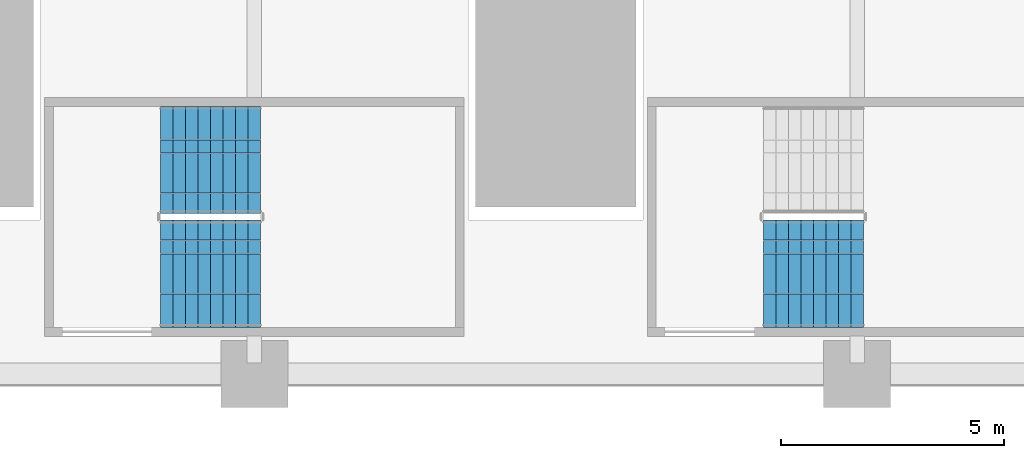
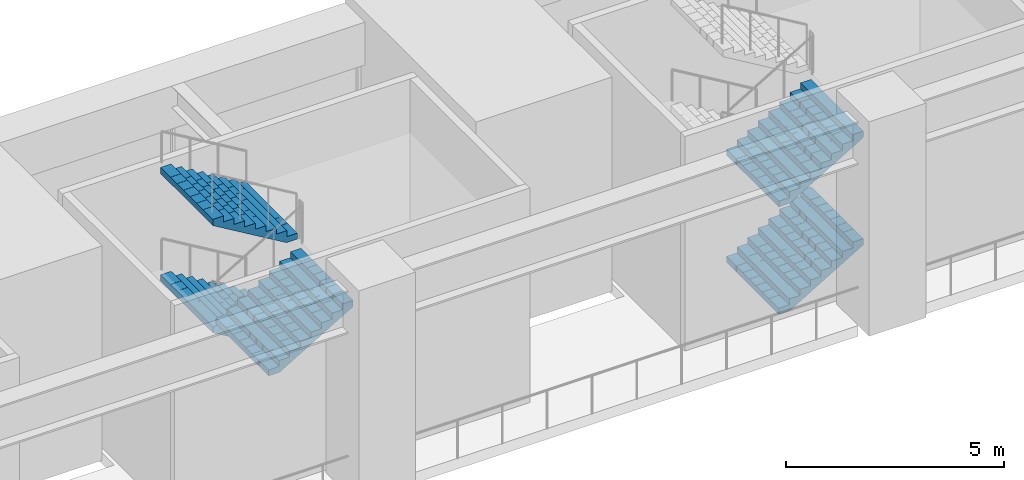
# One storey, part 32 of 43: 5 stair flights, 2 elements without a shape of their own.
"""IFC4 building model written with IfcOpenShell, lengths in metres."""

from ifc_helpers import new_model, si_unit, direction, frame, origin, place, context, subcontext, project, spatial, polyline, outline, extrude, material, type_object, element, aggregate, save


model = new_model("IFC4")

# Units and contexts
model_context = context("Model", 3, precision=1e-05, world=origin(), true_north=direction((0.0, 1.0)))
body_context = subcontext(model_context, "Body", "Model", "MODEL_VIEW")
ifc_project = project(units=[si_unit("LENGTHUNIT", "METRE"), si_unit("AREAUNIT", "SQUARE_METRE"), si_unit("VOLUMEUNIT", "CUBIC_METRE"), si_unit("PLANEANGLEUNIT", "RADIAN"), si_unit("MASSUNIT", "GRAM", prefix="KILO")], contexts=[model_context])

# Site, building, storey
site_placement = place(None, origin())
site = spatial("IfcSite", under=ifc_project, at=site_placement, CompositionType="ELEMENT")
building_placement = place(site_placement, origin())
building = spatial("IfcBuilding", under=site, at=building_placement, Name="Corbelhall Arena Tower", CompositionType="ELEMENT")
storey_placement = place(building_placement, frame((0.0, 0.0, 25.0)))
storey = spatial("IfcBuildingStorey", under=building, at=storey_placement, Name="L03", CompositionType="ELEMENT", Elevation=25.0)

# Stair, stair flights
ifc_material = material(Name="Reinforced concrete C40/50", Category="concrete")
stair_type = type_object("IfcStairType", Name="AR-EXIT-STAIR", PredefinedType="HALF_TURN_STAIR", material=ifc_material)
stair_1_placement = place(storey_placement, origin())
stair_1 = element("IfcStair", 1, at=stair_1_placement, inside=storey, type_object=stair_type, Name="L03 exit stair AS10", PredefinedType="HALF_TURN_STAIR")
stair_flight_type = type_object("IfcStairFlightType", Name="AR-EXIT-FLIGHT", PredefinedType="STRAIGHT", material=ifc_material)
stair_flight_1_placement = place(storey_placement, frame((-6.610107421875, 34.050048828125, 1.5), z_axis=(0.0, 0.0, 1.0), x_axis=(-1.0, 0.0, 0.0)))
stair_flight_1 = element("IfcStairFlight", 2, at=stair_flight_1_placement, type_object=stair_flight_type, Name="AS10 flight 2", NumberOfRisers=9, NumberOfTreads=8, PredefinedType="STRAIGHT", RiserHeight=0.166666667, TreadLength=0.28, context=body_context, shape_type="SweptSolid", body=[
    extrude(outline(polyline([(0.0, 0.0), (0.0, 0.166748046875), (0.280029296875, 0.166748046875), (0.280029296875, 0.333251953125), (0.56005859375, 0.333251953125), (0.56005859375, 0.5), (0.840087890625, 0.5), (0.840087890625, 0.666748046875), (1.1201171875, 0.666748046875), (1.1201171875, 0.833251953125), (1.39990234375, 0.833251953125), (1.39990234375, 1.0), (1.679931640625, 1.0), (1.679931640625, 1.166748046875), (1.9599609375, 1.166748046875), (1.9599609375, 1.333251953125), (2.239990234375, 1.333251953125), (2.239990234375, 1.5), (2.239990234375, 1.158935546875), (0.29296875, 0.0), (0.0, 0.0)])), frame((0.0, 1.199951171875, 0.0), z_axis=(0.0, -1.0, 0.0), x_axis=(1.0, 0.0, 0.0)), (0.0, 0.0, 1.0), 0.449951171875),
    extrude(outline(polyline([(0.0, 0.0), (0.0, 0.166748046875), (0.280029296875, 0.166748046875), (0.280029296875, 0.333251953125), (0.56005859375, 0.333251953125), (0.56005859375, 0.5), (0.840087890625, 0.5), (0.840087890625, 0.666748046875), (1.1201171875, 0.666748046875), (1.1201171875, 0.833251953125), (1.39990234375, 0.833251953125), (1.39990234375, 1.0), (1.679931640625, 1.0), (1.679931640625, 1.166748046875), (1.9599609375, 1.166748046875), (1.9599609375, 1.333251953125), (2.239990234375, 1.333251953125), (2.239990234375, 1.5), (2.239990234375, 1.158935546875), (0.29296875, 0.0), (0.0, 0.0)])), frame((0.0, 0.745849609375, 0.0), z_axis=(0.0, -1.0, 0.0), x_axis=(1.0, 0.0, 0.0)), (0.0, 0.0, 1.0), 0.295166015625),
    extrude(outline(polyline([(0.0, 0.0), (0.0, 0.166748046875), (0.280029296875, 0.166748046875), (0.280029296875, 0.333251953125), (0.56005859375, 0.333251953125), (0.56005859375, 0.5), (0.840087890625, 0.5), (0.840087890625, 0.666748046875), (1.1201171875, 0.666748046875), (1.1201171875, 0.833251953125), (1.39990234375, 0.833251953125), (1.39990234375, 1.0), (1.679931640625, 1.0), (1.679931640625, 1.166748046875), (1.9599609375, 1.166748046875), (1.9599609375, 1.333251953125), (2.239990234375, 1.333251953125), (2.239990234375, 1.5), (2.239990234375, 1.158935546875), (0.29296875, 0.0), (0.0, 0.0)])), frame((0.0, 0.44677734375, 0.0), z_axis=(0.0, -1.0, 0.0), x_axis=(1.0, 0.0, 0.0)), (0.0, 0.0, 1.0), 0.295166015625),
    extrude(outline(polyline([(0.0, 0.0), (0.0, 0.166748046875), (0.280029296875, 0.166748046875), (0.280029296875, 0.333251953125), (0.56005859375, 0.333251953125), (0.56005859375, 0.5), (0.840087890625, 0.5), (0.840087890625, 0.666748046875), (1.1201171875, 0.666748046875), (1.1201171875, 0.833251953125), (1.39990234375, 0.833251953125), (1.39990234375, 1.0), (1.679931640625, 1.0), (1.679931640625, 1.166748046875), (1.9599609375, 1.166748046875), (1.9599609375, 1.333251953125), (2.239990234375, 1.333251953125), (2.239990234375, 1.5), (2.239990234375, 1.158935546875), (0.29296875, 0.0), (0.0, 0.0)])), frame((0.0, 0.147705078125, 0.0), z_axis=(0.0, -1.0, 0.0), x_axis=(1.0, 0.0, 0.0)), (0.0, 0.0, 1.0), 0.295166015625),
    extrude(outline(polyline([(0.0, 0.0), (0.0, 0.166748046875), (0.280029296875, 0.166748046875), (0.280029296875, 0.333251953125), (0.56005859375, 0.333251953125), (0.56005859375, 0.5), (0.840087890625, 0.5), (0.840087890625, 0.666748046875), (1.1201171875, 0.666748046875), (1.1201171875, 0.833251953125), (1.39990234375, 0.833251953125), (1.39990234375, 1.0), (1.679931640625, 1.0), (1.679931640625, 1.166748046875), (1.9599609375, 1.166748046875), (1.9599609375, 1.333251953125), (2.239990234375, 1.333251953125), (2.239990234375, 1.5), (2.239990234375, 1.158935546875), (0.29296875, 0.0), (0.0, 0.0)])), frame((0.0, -0.151611328125, 0.0), z_axis=(0.0, -1.0, 0.0), x_axis=(1.0, 0.0, 0.0)), (0.0, 0.0, 1.0), 0.295166015625),
    extrude(outline(polyline([(0.0, 0.0), (0.0, 0.166748046875), (0.280029296875, 0.166748046875), (0.280029296875, 0.333251953125), (0.56005859375, 0.333251953125), (0.56005859375, 0.5), (0.840087890625, 0.5), (0.840087890625, 0.666748046875), (1.1201171875, 0.666748046875), (1.1201171875, 0.833251953125), (1.39990234375, 0.833251953125), (1.39990234375, 1.0), (1.679931640625, 1.0), (1.679931640625, 1.166748046875), (1.9599609375, 1.166748046875), (1.9599609375, 1.333251953125), (2.239990234375, 1.333251953125), (2.239990234375, 1.5), (2.239990234375, 1.158935546875), (0.29296875, 0.0), (0.0, 0.0)])), frame((0.0, -0.45068359375, 0.0), z_axis=(0.0, -1.0, 0.0), x_axis=(1.0, 0.0, 0.0)), (0.0, 0.0, 1.0), 0.295166015625),
    extrude(outline(polyline([(0.0, 0.0), (0.0, 0.166748046875), (0.280029296875, 0.166748046875), (0.280029296875, 0.333251953125), (0.56005859375, 0.333251953125), (0.56005859375, 0.5), (0.840087890625, 0.5), (0.840087890625, 0.666748046875), (1.1201171875, 0.666748046875), (1.1201171875, 0.833251953125), (1.39990234375, 0.833251953125), (1.39990234375, 1.0), (1.679931640625, 1.0), (1.679931640625, 1.166748046875), (1.9599609375, 1.166748046875), (1.9599609375, 1.333251953125), (2.239990234375, 1.333251953125), (2.239990234375, 1.5), (2.239990234375, 1.158935546875), (0.29296875, 0.0), (0.0, 0.0)])), frame((0.0, -0.75, 0.0), z_axis=(0.0, -1.0, 0.0), x_axis=(1.0, 0.0, 0.0)), (0.0, 0.0, 1.0), 0.449951171875),
])
stair_flight_2_placement = place(storey_placement, frame((-8.85009765625, 31.5, 3.0), z_axis=(0.0, 0.0, 1.0), x_axis=(1.0, 0.0, 0.0)))
stair_flight_2 = element("IfcStairFlight", 3, at=stair_flight_2_placement, type_object=stair_flight_type, Name="AS10 flight 3", NumberOfRisers=9, NumberOfTreads=8, PredefinedType="STRAIGHT", RiserHeight=0.166666667, TreadLength=0.28, context=body_context, shape_type="SweptSolid", body=[
    extrude(outline(polyline([(0.0, 0.0), (0.0, 0.166748046875), (0.280029296875, 0.166748046875), (0.280029296875, 0.333251953125), (0.56005859375, 0.333251953125), (0.56005859375, 0.5), (0.840087890625, 0.5), (0.840087890625, 0.666748046875), (1.1201171875, 0.666748046875), (1.1201171875, 0.833251953125), (1.39990234375, 0.833251953125), (1.39990234375, 1.0), (1.679931640625, 1.0), (1.679931640625, 1.166748046875), (1.9599609375, 1.166748046875), (1.9599609375, 1.333251953125), (2.239990234375, 1.333251953125), (2.239990234375, 1.5), (2.239990234375, 1.158935546875), (0.29296875, 0.0), (0.0, 0.0)])), frame((0.0, 1.199951171875, 0.0), z_axis=(0.0, -1.0, 0.0), x_axis=(1.0, 0.0, 0.0)), (0.0, 0.0, 1.0), 0.449951171875),
    extrude(outline(polyline([(0.0, 0.0), (0.0, 0.166748046875), (0.280029296875, 0.166748046875), (0.280029296875, 0.333251953125), (0.56005859375, 0.333251953125), (0.56005859375, 0.5), (0.840087890625, 0.5), (0.840087890625, 0.666748046875), (1.1201171875, 0.666748046875), (1.1201171875, 0.833251953125), (1.39990234375, 0.833251953125), (1.39990234375, 1.0), (1.679931640625, 1.0), (1.679931640625, 1.166748046875), (1.9599609375, 1.166748046875), (1.9599609375, 1.333251953125), (2.239990234375, 1.333251953125), (2.239990234375, 1.5), (2.239990234375, 1.158935546875), (0.29296875, 0.0), (0.0, 0.0)])), frame((0.0, 0.745849609375, 0.0), z_axis=(0.0, -1.0, 0.0), x_axis=(1.0, 0.0, 0.0)), (0.0, 0.0, 1.0), 0.295166015625),
    extrude(outline(polyline([(0.0, 0.0), (0.0, 0.166748046875), (0.280029296875, 0.166748046875), (0.280029296875, 0.333251953125), (0.56005859375, 0.333251953125), (0.56005859375, 0.5), (0.840087890625, 0.5), (0.840087890625, 0.666748046875), (1.1201171875, 0.666748046875), (1.1201171875, 0.833251953125), (1.39990234375, 0.833251953125), (1.39990234375, 1.0), (1.679931640625, 1.0), (1.679931640625, 1.166748046875), (1.9599609375, 1.166748046875), (1.9599609375, 1.333251953125), (2.239990234375, 1.333251953125), (2.239990234375, 1.5), (2.239990234375, 1.158935546875), (0.29296875, 0.0), (0.0, 0.0)])), frame((0.0, 0.44677734375, 0.0), z_axis=(0.0, -1.0, 0.0), x_axis=(1.0, 0.0, 0.0)), (0.0, 0.0, 1.0), 0.295166015625),
    extrude(outline(polyline([(0.0, 0.0), (0.0, 0.166748046875), (0.280029296875, 0.166748046875), (0.280029296875, 0.333251953125), (0.56005859375, 0.333251953125), (0.56005859375, 0.5), (0.840087890625, 0.5), (0.840087890625, 0.666748046875), (1.1201171875, 0.666748046875), (1.1201171875, 0.833251953125), (1.39990234375, 0.833251953125), (1.39990234375, 1.0), (1.679931640625, 1.0), (1.679931640625, 1.166748046875), (1.9599609375, 1.166748046875), (1.9599609375, 1.333251953125), (2.239990234375, 1.333251953125), (2.239990234375, 1.5), (2.239990234375, 1.158935546875), (0.29296875, 0.0), (0.0, 0.0)])), frame((0.0, 0.147705078125, 0.0), z_axis=(0.0, -1.0, 0.0), x_axis=(1.0, 0.0, 0.0)), (0.0, 0.0, 1.0), 0.295166015625),
    extrude(outline(polyline([(0.0, 0.0), (0.0, 0.166748046875), (0.280029296875, 0.166748046875), (0.280029296875, 0.333251953125), (0.56005859375, 0.333251953125), (0.56005859375, 0.5), (0.840087890625, 0.5), (0.840087890625, 0.666748046875), (1.1201171875, 0.666748046875), (1.1201171875, 0.833251953125), (1.39990234375, 0.833251953125), (1.39990234375, 1.0), (1.679931640625, 1.0), (1.679931640625, 1.166748046875), (1.9599609375, 1.166748046875), (1.9599609375, 1.333251953125), (2.239990234375, 1.333251953125), (2.239990234375, 1.5), (2.239990234375, 1.158935546875), (0.29296875, 0.0), (0.0, 0.0)])), frame((0.0, -0.151611328125, 0.0), z_axis=(0.0, -1.0, 0.0), x_axis=(1.0, 0.0, 0.0)), (0.0, 0.0, 1.0), 0.295166015625),
    extrude(outline(polyline([(0.0, 0.0), (0.0, 0.166748046875), (0.280029296875, 0.166748046875), (0.280029296875, 0.333251953125), (0.56005859375, 0.333251953125), (0.56005859375, 0.5), (0.840087890625, 0.5), (0.840087890625, 0.666748046875), (1.1201171875, 0.666748046875), (1.1201171875, 0.833251953125), (1.39990234375, 0.833251953125), (1.39990234375, 1.0), (1.679931640625, 1.0), (1.679931640625, 1.166748046875), (1.9599609375, 1.166748046875), (1.9599609375, 1.333251953125), (2.239990234375, 1.333251953125), (2.239990234375, 1.5), (2.239990234375, 1.158935546875), (0.29296875, 0.0), (0.0, 0.0)])), frame((0.0, -0.45068359375, 0.0), z_axis=(0.0, -1.0, 0.0), x_axis=(1.0, 0.0, 0.0)), (0.0, 0.0, 1.0), 0.295166015625),
    extrude(outline(polyline([(0.0, 0.0), (0.0, 0.166748046875), (0.280029296875, 0.166748046875), (0.280029296875, 0.333251953125), (0.56005859375, 0.333251953125), (0.56005859375, 0.5), (0.840087890625, 0.5), (0.840087890625, 0.666748046875), (1.1201171875, 0.666748046875), (1.1201171875, 0.833251953125), (1.39990234375, 0.833251953125), (1.39990234375, 1.0), (1.679931640625, 1.0), (1.679931640625, 1.166748046875), (1.9599609375, 1.166748046875), (1.9599609375, 1.333251953125), (2.239990234375, 1.333251953125), (2.239990234375, 1.5), (2.239990234375, 1.158935546875), (0.29296875, 0.0), (0.0, 0.0)])), frame((0.0, -0.75, 0.0), z_axis=(0.0, -1.0, 0.0), x_axis=(1.0, 0.0, 0.0)), (0.0, 0.0, 1.0), 0.449951171875),
])
stair_flight_3_placement = place(storey_placement, frame((-6.610107421875, 34.050048828125, 4.5), z_axis=(0.0, 0.0, 1.0), x_axis=(-1.0, 0.0, 0.0)))
stair_flight_3 = element("IfcStairFlight", 4, at=stair_flight_3_placement, type_object=stair_flight_type, Name="AS10 flight 4", NumberOfRisers=9, NumberOfTreads=8, PredefinedType="STRAIGHT", RiserHeight=0.166666667, TreadLength=0.28, context=body_context, shape_type="SweptSolid", body=[
    extrude(outline(polyline([(0.0, 0.0), (0.0, 0.166748046875), (0.280029296875, 0.166748046875), (0.280029296875, 0.333251953125), (0.56005859375, 0.333251953125), (0.56005859375, 0.5), (0.840087890625, 0.5), (0.840087890625, 0.666748046875), (1.1201171875, 0.666748046875), (1.1201171875, 0.833251953125), (1.39990234375, 0.833251953125), (1.39990234375, 1.0), (1.679931640625, 1.0), (1.679931640625, 1.166748046875), (1.9599609375, 1.166748046875), (1.9599609375, 1.333251953125), (2.239990234375, 1.333251953125), (2.239990234375, 1.5), (2.239990234375, 1.158935546875), (0.29296875, 0.0), (0.0, 0.0)])), frame((0.0, 1.199951171875, 0.0), z_axis=(0.0, -1.0, 0.0), x_axis=(1.0, 0.0, 0.0)), (0.0, 0.0, 1.0), 0.449951171875),
    extrude(outline(polyline([(0.0, 0.0), (0.0, 0.166748046875), (0.280029296875, 0.166748046875), (0.280029296875, 0.333251953125), (0.56005859375, 0.333251953125), (0.56005859375, 0.5), (0.840087890625, 0.5), (0.840087890625, 0.666748046875), (1.1201171875, 0.666748046875), (1.1201171875, 0.833251953125), (1.39990234375, 0.833251953125), (1.39990234375, 1.0), (1.679931640625, 1.0), (1.679931640625, 1.166748046875), (1.9599609375, 1.166748046875), (1.9599609375, 1.333251953125), (2.239990234375, 1.333251953125), (2.239990234375, 1.5), (2.239990234375, 1.158935546875), (0.29296875, 0.0), (0.0, 0.0)])), frame((0.0, 0.745849609375, 0.0), z_axis=(0.0, -1.0, 0.0), x_axis=(1.0, 0.0, 0.0)), (0.0, 0.0, 1.0), 0.295166015625),
    extrude(outline(polyline([(0.0, 0.0), (0.0, 0.166748046875), (0.280029296875, 0.166748046875), (0.280029296875, 0.333251953125), (0.56005859375, 0.333251953125), (0.56005859375, 0.5), (0.840087890625, 0.5), (0.840087890625, 0.666748046875), (1.1201171875, 0.666748046875), (1.1201171875, 0.833251953125), (1.39990234375, 0.833251953125), (1.39990234375, 1.0), (1.679931640625, 1.0), (1.679931640625, 1.166748046875), (1.9599609375, 1.166748046875), (1.9599609375, 1.333251953125), (2.239990234375, 1.333251953125), (2.239990234375, 1.5), (2.239990234375, 1.158935546875), (0.29296875, 0.0), (0.0, 0.0)])), frame((0.0, 0.44677734375, 0.0), z_axis=(0.0, -1.0, 0.0), x_axis=(1.0, 0.0, 0.0)), (0.0, 0.0, 1.0), 0.295166015625),
    extrude(outline(polyline([(0.0, 0.0), (0.0, 0.166748046875), (0.280029296875, 0.166748046875), (0.280029296875, 0.333251953125), (0.56005859375, 0.333251953125), (0.56005859375, 0.5), (0.840087890625, 0.5), (0.840087890625, 0.666748046875), (1.1201171875, 0.666748046875), (1.1201171875, 0.833251953125), (1.39990234375, 0.833251953125), (1.39990234375, 1.0), (1.679931640625, 1.0), (1.679931640625, 1.166748046875), (1.9599609375, 1.166748046875), (1.9599609375, 1.333251953125), (2.239990234375, 1.333251953125), (2.239990234375, 1.5), (2.239990234375, 1.158935546875), (0.29296875, 0.0), (0.0, 0.0)])), frame((0.0, 0.147705078125, 0.0), z_axis=(0.0, -1.0, 0.0), x_axis=(1.0, 0.0, 0.0)), (0.0, 0.0, 1.0), 0.295166015625),
    extrude(outline(polyline([(0.0, 0.0), (0.0, 0.166748046875), (0.280029296875, 0.166748046875), (0.280029296875, 0.333251953125), (0.56005859375, 0.333251953125), (0.56005859375, 0.5), (0.840087890625, 0.5), (0.840087890625, 0.666748046875), (1.1201171875, 0.666748046875), (1.1201171875, 0.833251953125), (1.39990234375, 0.833251953125), (1.39990234375, 1.0), (1.679931640625, 1.0), (1.679931640625, 1.166748046875), (1.9599609375, 1.166748046875), (1.9599609375, 1.333251953125), (2.239990234375, 1.333251953125), (2.239990234375, 1.5), (2.239990234375, 1.158935546875), (0.29296875, 0.0), (0.0, 0.0)])), frame((0.0, -0.151611328125, 0.0), z_axis=(0.0, -1.0, 0.0), x_axis=(1.0, 0.0, 0.0)), (0.0, 0.0, 1.0), 0.295166015625),
    extrude(outline(polyline([(0.0, 0.0), (0.0, 0.166748046875), (0.280029296875, 0.166748046875), (0.280029296875, 0.333251953125), (0.56005859375, 0.333251953125), (0.56005859375, 0.5), (0.840087890625, 0.5), (0.840087890625, 0.666748046875), (1.1201171875, 0.666748046875), (1.1201171875, 0.833251953125), (1.39990234375, 0.833251953125), (1.39990234375, 1.0), (1.679931640625, 1.0), (1.679931640625, 1.166748046875), (1.9599609375, 1.166748046875), (1.9599609375, 1.333251953125), (2.239990234375, 1.333251953125), (2.239990234375, 1.5), (2.239990234375, 1.158935546875), (0.29296875, 0.0), (0.0, 0.0)])), frame((0.0, -0.45068359375, 0.0), z_axis=(0.0, -1.0, 0.0), x_axis=(1.0, 0.0, 0.0)), (0.0, 0.0, 1.0), 0.295166015625),
    extrude(outline(polyline([(0.0, 0.0), (0.0, 0.166748046875), (0.280029296875, 0.166748046875), (0.280029296875, 0.333251953125), (0.56005859375, 0.333251953125), (0.56005859375, 0.5), (0.840087890625, 0.5), (0.840087890625, 0.666748046875), (1.1201171875, 0.666748046875), (1.1201171875, 0.833251953125), (1.39990234375, 0.833251953125), (1.39990234375, 1.0), (1.679931640625, 1.0), (1.679931640625, 1.166748046875), (1.9599609375, 1.166748046875), (1.9599609375, 1.333251953125), (2.239990234375, 1.333251953125), (2.239990234375, 1.5), (2.239990234375, 1.158935546875), (0.29296875, 0.0), (0.0, 0.0)])), frame((0.0, -0.75, 0.0), z_axis=(0.0, -1.0, 0.0), x_axis=(1.0, 0.0, 0.0)), (0.0, 0.0, 1.0), 0.449951171875),
])
aggregate(stair_1, [stair_flight_1, stair_flight_2, stair_flight_3])

stair_2_placement = place(storey_placement, origin())
stair_2 = element("IfcStair", 5, at=stair_2_placement, inside=storey, type_object=stair_type, Name="L03 exit stair AS11", PredefinedType="HALF_TURN_STAIR")
stair_flight_4_placement = place(storey_placement, frame((4.64990234375, 31.5, 0.0), z_axis=(0.0, 0.0, 1.0), x_axis=(1.0, 0.0, 0.0)))
stair_flight_4 = element("IfcStairFlight", 6, at=stair_flight_4_placement, type_object=stair_flight_type, Name="AS11 flight 1", NumberOfRisers=9, NumberOfTreads=8, PredefinedType="STRAIGHT", RiserHeight=0.166666667, TreadLength=0.28, context=body_context, shape_type="SweptSolid", body=[
    extrude(outline(polyline([(0.0, 0.0), (0.0, 0.166748046875), (0.280029296875, 0.166748046875), (0.280029296875, 0.333251953125), (0.56005859375, 0.333251953125), (0.56005859375, 0.5), (0.840087890625, 0.5), (0.840087890625, 0.666748046875), (1.1201171875, 0.666748046875), (1.1201171875, 0.833251953125), (1.39990234375, 0.833251953125), (1.39990234375, 1.0), (1.679931640625, 1.0), (1.679931640625, 1.166748046875), (1.9599609375, 1.166748046875), (1.9599609375, 1.333251953125), (2.239990234375, 1.333251953125), (2.239990234375, 1.5), (2.239990234375, 1.158935546875), (0.29296875, 0.0), (0.0, 0.0)])), frame((0.0, 1.199951171875, 0.0), z_axis=(0.0, -1.0, 0.0), x_axis=(1.0, 0.0, 0.0)), (0.0, 0.0, 1.0), 0.449951171875),
    extrude(outline(polyline([(0.0, 0.0), (0.0, 0.166748046875), (0.280029296875, 0.166748046875), (0.280029296875, 0.333251953125), (0.56005859375, 0.333251953125), (0.56005859375, 0.5), (0.840087890625, 0.5), (0.840087890625, 0.666748046875), (1.1201171875, 0.666748046875), (1.1201171875, 0.833251953125), (1.39990234375, 0.833251953125), (1.39990234375, 1.0), (1.679931640625, 1.0), (1.679931640625, 1.166748046875), (1.9599609375, 1.166748046875), (1.9599609375, 1.333251953125), (2.239990234375, 1.333251953125), (2.239990234375, 1.5), (2.239990234375, 1.158935546875), (0.29296875, 0.0), (0.0, 0.0)])), frame((0.0, 0.745849609375, 0.0), z_axis=(0.0, -1.0, 0.0), x_axis=(1.0, 0.0, 0.0)), (0.0, 0.0, 1.0), 0.295166015625),
    extrude(outline(polyline([(0.0, 0.0), (0.0, 0.166748046875), (0.280029296875, 0.166748046875), (0.280029296875, 0.333251953125), (0.56005859375, 0.333251953125), (0.56005859375, 0.5), (0.840087890625, 0.5), (0.840087890625, 0.666748046875), (1.1201171875, 0.666748046875), (1.1201171875, 0.833251953125), (1.39990234375, 0.833251953125), (1.39990234375, 1.0), (1.679931640625, 1.0), (1.679931640625, 1.166748046875), (1.9599609375, 1.166748046875), (1.9599609375, 1.333251953125), (2.239990234375, 1.333251953125), (2.239990234375, 1.5), (2.239990234375, 1.158935546875), (0.29296875, 0.0), (0.0, 0.0)])), frame((0.0, 0.44677734375, 0.0), z_axis=(0.0, -1.0, 0.0), x_axis=(1.0, 0.0, 0.0)), (0.0, 0.0, 1.0), 0.295166015625),
    extrude(outline(polyline([(0.0, 0.0), (0.0, 0.166748046875), (0.280029296875, 0.166748046875), (0.280029296875, 0.333251953125), (0.56005859375, 0.333251953125), (0.56005859375, 0.5), (0.840087890625, 0.5), (0.840087890625, 0.666748046875), (1.1201171875, 0.666748046875), (1.1201171875, 0.833251953125), (1.39990234375, 0.833251953125), (1.39990234375, 1.0), (1.679931640625, 1.0), (1.679931640625, 1.166748046875), (1.9599609375, 1.166748046875), (1.9599609375, 1.333251953125), (2.239990234375, 1.333251953125), (2.239990234375, 1.5), (2.239990234375, 1.158935546875), (0.29296875, 0.0), (0.0, 0.0)])), frame((0.0, 0.147705078125, 0.0), z_axis=(0.0, -1.0, 0.0), x_axis=(1.0, 0.0, 0.0)), (0.0, 0.0, 1.0), 0.295166015625),
    extrude(outline(polyline([(0.0, 0.0), (0.0, 0.166748046875), (0.280029296875, 0.166748046875), (0.280029296875, 0.333251953125), (0.56005859375, 0.333251953125), (0.56005859375, 0.5), (0.840087890625, 0.5), (0.840087890625, 0.666748046875), (1.1201171875, 0.666748046875), (1.1201171875, 0.833251953125), (1.39990234375, 0.833251953125), (1.39990234375, 1.0), (1.679931640625, 1.0), (1.679931640625, 1.166748046875), (1.9599609375, 1.166748046875), (1.9599609375, 1.333251953125), (2.239990234375, 1.333251953125), (2.239990234375, 1.5), (2.239990234375, 1.158935546875), (0.29296875, 0.0), (0.0, 0.0)])), frame((0.0, -0.151611328125, 0.0), z_axis=(0.0, -1.0, 0.0), x_axis=(1.0, 0.0, 0.0)), (0.0, 0.0, 1.0), 0.295166015625),
    extrude(outline(polyline([(0.0, 0.0), (0.0, 0.166748046875), (0.280029296875, 0.166748046875), (0.280029296875, 0.333251953125), (0.56005859375, 0.333251953125), (0.56005859375, 0.5), (0.840087890625, 0.5), (0.840087890625, 0.666748046875), (1.1201171875, 0.666748046875), (1.1201171875, 0.833251953125), (1.39990234375, 0.833251953125), (1.39990234375, 1.0), (1.679931640625, 1.0), (1.679931640625, 1.166748046875), (1.9599609375, 1.166748046875), (1.9599609375, 1.333251953125), (2.239990234375, 1.333251953125), (2.239990234375, 1.5), (2.239990234375, 1.158935546875), (0.29296875, 0.0), (0.0, 0.0)])), frame((0.0, -0.45068359375, 0.0), z_axis=(0.0, -1.0, 0.0), x_axis=(1.0, 0.0, 0.0)), (0.0, 0.0, 1.0), 0.295166015625),
    extrude(outline(polyline([(0.0, 0.0), (0.0, 0.166748046875), (0.280029296875, 0.166748046875), (0.280029296875, 0.333251953125), (0.56005859375, 0.333251953125), (0.56005859375, 0.5), (0.840087890625, 0.5), (0.840087890625, 0.666748046875), (1.1201171875, 0.666748046875), (1.1201171875, 0.833251953125), (1.39990234375, 0.833251953125), (1.39990234375, 1.0), (1.679931640625, 1.0), (1.679931640625, 1.166748046875), (1.9599609375, 1.166748046875), (1.9599609375, 1.333251953125), (2.239990234375, 1.333251953125), (2.239990234375, 1.5), (2.239990234375, 1.158935546875), (0.29296875, 0.0), (0.0, 0.0)])), frame((0.0, -0.75, 0.0), z_axis=(0.0, -1.0, 0.0), x_axis=(1.0, 0.0, 0.0)), (0.0, 0.0, 1.0), 0.449951171875),
])
stair_flight_5_placement = place(storey_placement, frame((4.64990234375, 31.5, 3.0), z_axis=(0.0, 0.0, 1.0), x_axis=(1.0, 0.0, 0.0)))
stair_flight_5 = element("IfcStairFlight", 7, at=stair_flight_5_placement, type_object=stair_flight_type, Name="AS11 flight 3", NumberOfRisers=9, NumberOfTreads=8, PredefinedType="STRAIGHT", RiserHeight=0.166666667, TreadLength=0.28, context=body_context, shape_type="SweptSolid", body=[
    extrude(outline(polyline([(0.0, 0.0), (0.0, 0.166748046875), (0.280029296875, 0.166748046875), (0.280029296875, 0.333251953125), (0.56005859375, 0.333251953125), (0.56005859375, 0.5), (0.840087890625, 0.5), (0.840087890625, 0.666748046875), (1.1201171875, 0.666748046875), (1.1201171875, 0.833251953125), (1.39990234375, 0.833251953125), (1.39990234375, 1.0), (1.679931640625, 1.0), (1.679931640625, 1.166748046875), (1.9599609375, 1.166748046875), (1.9599609375, 1.333251953125), (2.239990234375, 1.333251953125), (2.239990234375, 1.5), (2.239990234375, 1.158935546875), (0.29296875, 0.0), (0.0, 0.0)])), frame((0.0, 1.199951171875, 0.0), z_axis=(0.0, -1.0, 0.0), x_axis=(1.0, 0.0, 0.0)), (0.0, 0.0, 1.0), 0.449951171875),
    extrude(outline(polyline([(0.0, 0.0), (0.0, 0.166748046875), (0.280029296875, 0.166748046875), (0.280029296875, 0.333251953125), (0.56005859375, 0.333251953125), (0.56005859375, 0.5), (0.840087890625, 0.5), (0.840087890625, 0.666748046875), (1.1201171875, 0.666748046875), (1.1201171875, 0.833251953125), (1.39990234375, 0.833251953125), (1.39990234375, 1.0), (1.679931640625, 1.0), (1.679931640625, 1.166748046875), (1.9599609375, 1.166748046875), (1.9599609375, 1.333251953125), (2.239990234375, 1.333251953125), (2.239990234375, 1.5), (2.239990234375, 1.158935546875), (0.29296875, 0.0), (0.0, 0.0)])), frame((0.0, 0.745849609375, 0.0), z_axis=(0.0, -1.0, 0.0), x_axis=(1.0, 0.0, 0.0)), (0.0, 0.0, 1.0), 0.295166015625),
    extrude(outline(polyline([(0.0, 0.0), (0.0, 0.166748046875), (0.280029296875, 0.166748046875), (0.280029296875, 0.333251953125), (0.56005859375, 0.333251953125), (0.56005859375, 0.5), (0.840087890625, 0.5), (0.840087890625, 0.666748046875), (1.1201171875, 0.666748046875), (1.1201171875, 0.833251953125), (1.39990234375, 0.833251953125), (1.39990234375, 1.0), (1.679931640625, 1.0), (1.679931640625, 1.166748046875), (1.9599609375, 1.166748046875), (1.9599609375, 1.333251953125), (2.239990234375, 1.333251953125), (2.239990234375, 1.5), (2.239990234375, 1.158935546875), (0.29296875, 0.0), (0.0, 0.0)])), frame((0.0, 0.44677734375, 0.0), z_axis=(0.0, -1.0, 0.0), x_axis=(1.0, 0.0, 0.0)), (0.0, 0.0, 1.0), 0.295166015625),
    extrude(outline(polyline([(0.0, 0.0), (0.0, 0.166748046875), (0.280029296875, 0.166748046875), (0.280029296875, 0.333251953125), (0.56005859375, 0.333251953125), (0.56005859375, 0.5), (0.840087890625, 0.5), (0.840087890625, 0.666748046875), (1.1201171875, 0.666748046875), (1.1201171875, 0.833251953125), (1.39990234375, 0.833251953125), (1.39990234375, 1.0), (1.679931640625, 1.0), (1.679931640625, 1.166748046875), (1.9599609375, 1.166748046875), (1.9599609375, 1.333251953125), (2.239990234375, 1.333251953125), (2.239990234375, 1.5), (2.239990234375, 1.158935546875), (0.29296875, 0.0), (0.0, 0.0)])), frame((0.0, 0.147705078125, 0.0), z_axis=(0.0, -1.0, 0.0), x_axis=(1.0, 0.0, 0.0)), (0.0, 0.0, 1.0), 0.295166015625),
    extrude(outline(polyline([(0.0, 0.0), (0.0, 0.166748046875), (0.280029296875, 0.166748046875), (0.280029296875, 0.333251953125), (0.56005859375, 0.333251953125), (0.56005859375, 0.5), (0.840087890625, 0.5), (0.840087890625, 0.666748046875), (1.1201171875, 0.666748046875), (1.1201171875, 0.833251953125), (1.39990234375, 0.833251953125), (1.39990234375, 1.0), (1.679931640625, 1.0), (1.679931640625, 1.166748046875), (1.9599609375, 1.166748046875), (1.9599609375, 1.333251953125), (2.239990234375, 1.333251953125), (2.239990234375, 1.5), (2.239990234375, 1.158935546875), (0.29296875, 0.0), (0.0, 0.0)])), frame((0.0, -0.151611328125, 0.0), z_axis=(0.0, -1.0, 0.0), x_axis=(1.0, 0.0, 0.0)), (0.0, 0.0, 1.0), 0.295166015625),
    extrude(outline(polyline([(0.0, 0.0), (0.0, 0.166748046875), (0.280029296875, 0.166748046875), (0.280029296875, 0.333251953125), (0.56005859375, 0.333251953125), (0.56005859375, 0.5), (0.840087890625, 0.5), (0.840087890625, 0.666748046875), (1.1201171875, 0.666748046875), (1.1201171875, 0.833251953125), (1.39990234375, 0.833251953125), (1.39990234375, 1.0), (1.679931640625, 1.0), (1.679931640625, 1.166748046875), (1.9599609375, 1.166748046875), (1.9599609375, 1.333251953125), (2.239990234375, 1.333251953125), (2.239990234375, 1.5), (2.239990234375, 1.158935546875), (0.29296875, 0.0), (0.0, 0.0)])), frame((0.0, -0.45068359375, 0.0), z_axis=(0.0, -1.0, 0.0), x_axis=(1.0, 0.0, 0.0)), (0.0, 0.0, 1.0), 0.295166015625),
    extrude(outline(polyline([(0.0, 0.0), (0.0, 0.166748046875), (0.280029296875, 0.166748046875), (0.280029296875, 0.333251953125), (0.56005859375, 0.333251953125), (0.56005859375, 0.5), (0.840087890625, 0.5), (0.840087890625, 0.666748046875), (1.1201171875, 0.666748046875), (1.1201171875, 0.833251953125), (1.39990234375, 0.833251953125), (1.39990234375, 1.0), (1.679931640625, 1.0), (1.679931640625, 1.166748046875), (1.9599609375, 1.166748046875), (1.9599609375, 1.333251953125), (2.239990234375, 1.333251953125), (2.239990234375, 1.5), (2.239990234375, 1.158935546875), (0.29296875, 0.0), (0.0, 0.0)])), frame((0.0, -0.75, 0.0), z_axis=(0.0, -1.0, 0.0), x_axis=(1.0, 0.0, 0.0)), (0.0, 0.0, 1.0), 0.449951171875),
])
aggregate(stair_2, [stair_flight_4, stair_flight_5])

save(model, "model.ifc")
